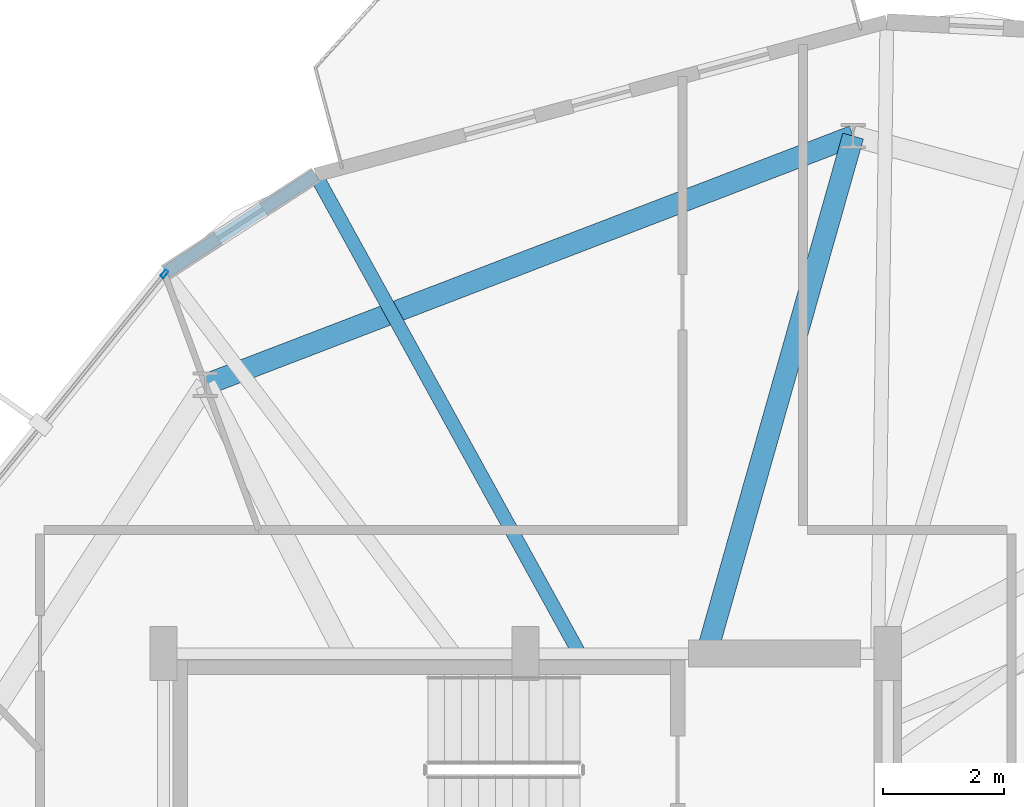
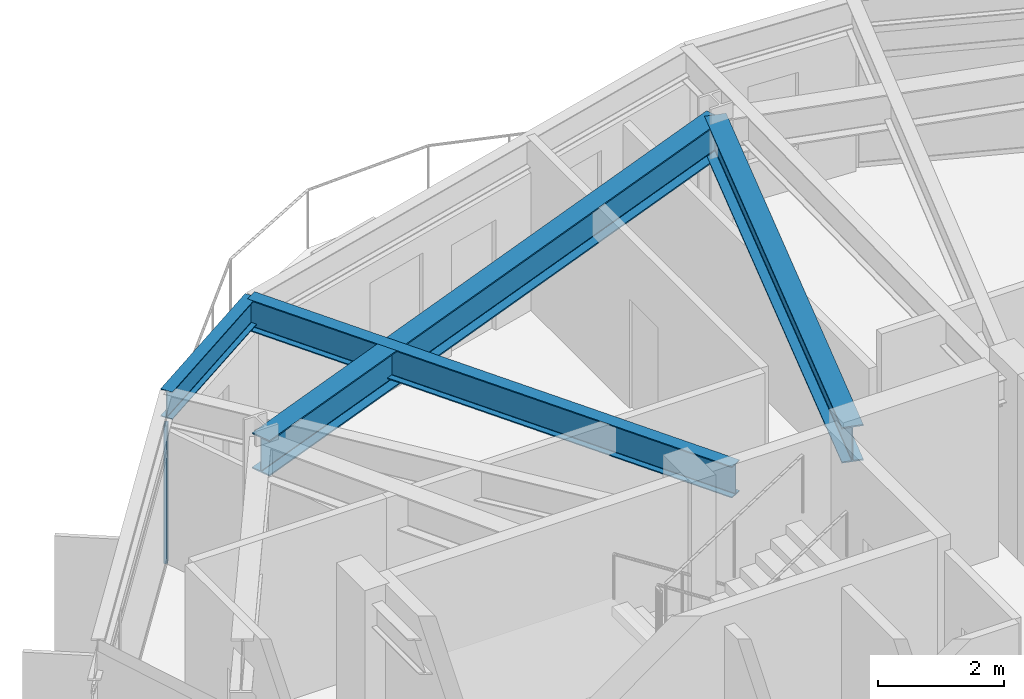
# One storey, part 18 of 29: 4 beams, 1 member, 1 element without a shape of its own.
"""IFC4 building model written with IfcOpenShell, lengths in metres."""

from ifc_helpers import new_model, si_unit, direction, frame, origin, origin_2d, place, context, subcontext, project, spatial, hollow_rectangle, i_section, extrude, material, layer, layer_set, material_profile, profile_set, type_object, element, aggregate, save


model = new_model("IFC4")

# Units and contexts
model_context = context("Model", 3, precision=1e-05, world=origin(), true_north=direction((0.0, 1.0)))
body_context = subcontext(model_context, "Body", "Model", "MODEL_VIEW")
ifc_project = project(units=[si_unit("LENGTHUNIT", "METRE"), si_unit("AREAUNIT", "SQUARE_METRE"), si_unit("VOLUMEUNIT", "CUBIC_METRE"), si_unit("PLANEANGLEUNIT", "RADIAN"), si_unit("MASSUNIT", "GRAM", prefix="KILO")], contexts=[model_context])

# Site, building, storey
site_placement = place(None, origin())
site = spatial("IfcSite", under=ifc_project, at=site_placement, CompositionType="ELEMENT")
building_placement = place(site_placement, origin())
building = spatial("IfcBuilding", under=site, at=building_placement, Name="Soratama Intermodal Tower", CompositionType="ELEMENT")
storey_placement = place(building_placement, frame((0.0, 0.0, 219.39990234375)))
storey = spatial("IfcBuildingStorey", under=building, at=storey_placement, Name="L55", CompositionType="ELEMENT", Elevation=219.39990234375)

# Beams
ifc_material_1 = material(Name="Structural steel ASTM A992 Grade 50", Category="steel")
ifc_material_profile_1 = material_profile(ifc_material_1, i_section(OverallWidth=0.35498046875, OverallDepth=0.695068359375, WebThickness=0.015380859375, FlangeThickness=0.02490234375, FilletRadius=0.01611328125, at=origin_2d()), Name="W27X146")
ifc_profile_set_1 = profile_set([ifc_material_profile_1], Name="Structural steel ASTM A992 Grade 50")
beam_type_1 = type_object("IfcBeamType", Name="BM-RING-W27X146", PredefinedType="BEAM", material=ifc_profile_set_1)
beam_1_placement = place(storey_placement, frame((44.027099609375, 43.574951171875, 2.95263671875), z_axis=(-0.933575304305, -0.358381293026, 0.0), x_axis=(0.358381293026, -0.933575304305, 0.0)))
element("IfcBeam", 1, at=beam_1_placement, inside=storey, type_object=beam_type_1, Name="BM-L55-RING-03", PredefinedType="BEAM", context=body_context, shape_type="SweptSolid", body=[
    extrude(i_section(OverallWidth=0.35498046875, OverallDepth=0.695068359375, WebThickness=0.015380859375, FlangeThickness=0.02490234375, FilletRadius=0.01611328125, at=origin_2d()), origin(), (0.0, 0.0, 1.0), 11.495849609375),
])
beam_2_placement = place(storey_placement, frame((41.60009765625, 35.0, 2.95263671875), z_axis=(0.272335865412, 0.96220225338, 0.0), x_axis=(-0.96220225338, 0.272335865412, 0.0)))
element("IfcBeam", 2, at=beam_2_placement, inside=storey, type_object=beam_type_1, Name="BM-L55-RAD-03", PredefinedType="BEAM", context=body_context, shape_type="SweptSolid", body=[
    extrude(i_section(OverallWidth=0.35498046875, OverallDepth=0.695068359375, WebThickness=0.015380859375, FlangeThickness=0.02490234375, FilletRadius=0.01611328125, at=origin_2d()), origin(), (0.0, 0.0, 1.0), 8.911865234375),
])
ifc_material_2 = material(Name="Structural steel ASTM A992 Grade 50", Category="steel")
ifc_material_profile_2 = material_profile(ifc_material_2, i_section(OverallWidth=0.2099609375, OverallDepth=0.537109375, WebThickness=0.010986328125, FlangeThickness=0.017333984375, FilletRadius=0.012939453125, at=origin_2d()), Name="W21X68")
ifc_profile_set_2 = profile_set([ifc_material_profile_2], Name="Structural steel ASTM A992 Grade 50")
beam_type_2 = type_object("IfcBeamType", Name="BM-SPN-W21X68", PredefinedType="SPANDREL", material=ifc_profile_set_2)
beam_3_placement = place(storey_placement, frame((35.123046875, 42.931884765625, 3.031494140625), z_axis=(-0.83853951654, -0.544840783349, 0.0), x_axis=(0.544840783349, -0.83853951654, 0.0)))
element("IfcBeam", 3, at=beam_3_placement, inside=storey, type_object=beam_type_2, Name="BS-L55-CRN02", PredefinedType="SPANDREL", context=body_context, shape_type="SweptSolid", body=[
    extrude(i_section(OverallWidth=0.2099609375, OverallDepth=0.537109375, WebThickness=0.010986328125, FlangeThickness=0.017333984375, FilletRadius=0.012939453125, at=origin_2d()), origin(), (0.0, 0.0, 1.0), 2.966064453125),
])
ifc_material_3 = material(Name="Structural steel ASTM A992 Grade 50", Category="steel")
ifc_material_profile_3 = material_profile(ifc_material_3, i_section(OverallWidth=0.22900390625, OverallDepth=0.612060546875, WebThickness=0.011962890625, FlangeThickness=0.01953125, FilletRadius=0.012939453125, at=origin_2d()), Name="W24X84")
ifc_profile_set_3 = profile_set([ifc_material_profile_3], Name="Structural steel ASTM A992 Grade 50")
beam_type_3 = type_object("IfcBeamType", Name="BM-TIE-W24X84", PredefinedType="BEAM", material=ifc_profile_set_3)
beam_4_placement = place(storey_placement, frame((39.472900390625, 35.034912109375, 2.994140625), z_axis=(-0.482473754873, 0.875910426847, 0.0), x_axis=(-0.875910426847, -0.482473754873, 0.0)))
element("IfcBeam", 4, at=beam_4_placement, inside=storey, type_object=beam_type_3, Name="BM-L55-TIE1-02", PredefinedType="BEAM", context=body_context, shape_type="SweptSolid", body=[
    extrude(i_section(OverallWidth=0.22900390625, OverallDepth=0.612060546875, WebThickness=0.011962890625, FlangeThickness=0.01953125, FilletRadius=0.012939453125, at=origin_2d()), origin(), (0.0, 0.0, 1.0), 9.015625),
])

# Curtain wall, member
ifc_material_4 = material(Name="Double-glazed aluminium curtain wall", Category="aluminium")
ifc_layer = layer(ifc_material_4, 0.159912109375)
ifc_layer_set = layer_set([ifc_layer], Name="Double-glazed aluminium curtain wall")
curtain_wall_type = type_object("IfcCurtainWallType", Name="CW-SYS-5", PredefinedType="NOTDEFINED", material=ifc_layer_set)
curtain_wall_placement = place(storey_placement, origin())
curtain_wall = element("IfcCurtainWall", 5, at=curtain_wall_placement, inside=storey, type_object=curtain_wall_type, Name="L55 Faceted Curtain Wall F03", PredefinedType="NOTDEFINED")
ifc_material_5 = material(Name="Anodised aluminium AA 6063-T6", Category="aluminium")
ifc_material_profile_4 = material_profile(ifc_material_5, hollow_rectangle(XDim=0.06494140625, YDim=0.139892578125, WallThickness=0.0048828125, InnerFilletRadius=0.0048828125, OuterFilletRadius=0.010009765625, at=origin_2d()), Name="CWM140X65X5")
ifc_profile_set_4 = profile_set([ifc_material_profile_4], Name="Anodised aluminium AA 6063-T6")
member_type = type_object("IfcMemberType", Name="MT-CWM-5", PredefinedType="MULLION", material=ifc_profile_set_4)
member_placement = place(storey_placement, frame((32.61669921875, 41.29296875, 0.0), z_axis=(0.0, 0.0, 1.0), x_axis=(0.777152878151, -0.629311849549, 0.0)))
member = element("IfcMember", 6, at=member_placement, type_object=member_type, Name="CW-5 mullion 1", PredefinedType="MULLION", context=body_context, shape_type="SweptSolid", body=[
    extrude(hollow_rectangle(XDim=0.06494140625, YDim=0.139892578125, WallThickness=0.0048828125, InnerFilletRadius=0.0048828125, OuterFilletRadius=0.010009765625, at=origin_2d()), origin(), (0.0, 0.0, 1.0), 2.67919921875),
])
aggregate(curtain_wall, [member])

save(model, "model.ifc")
